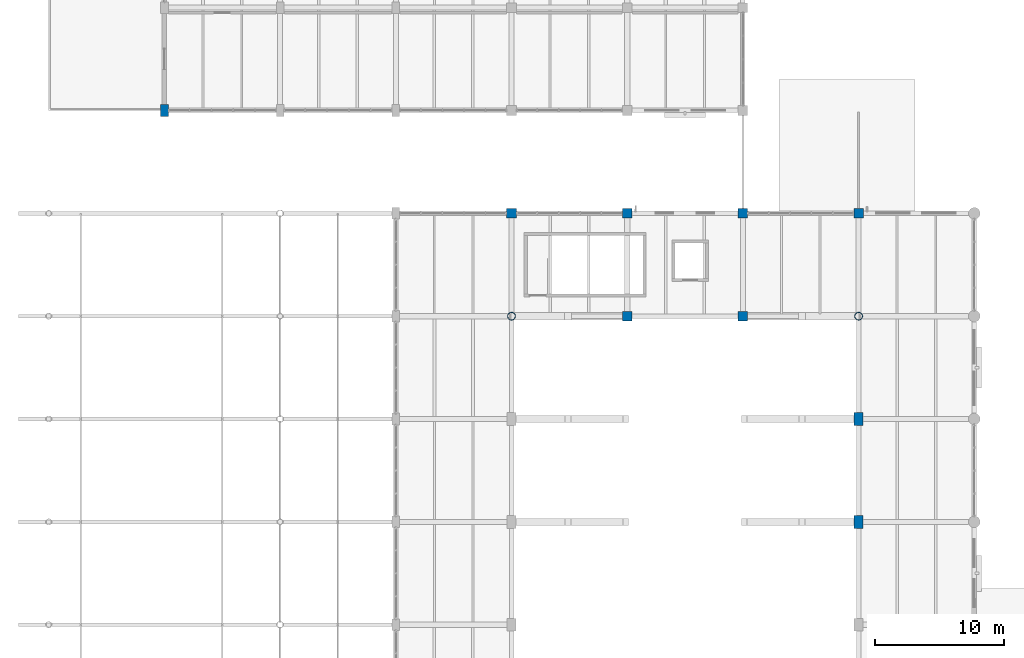
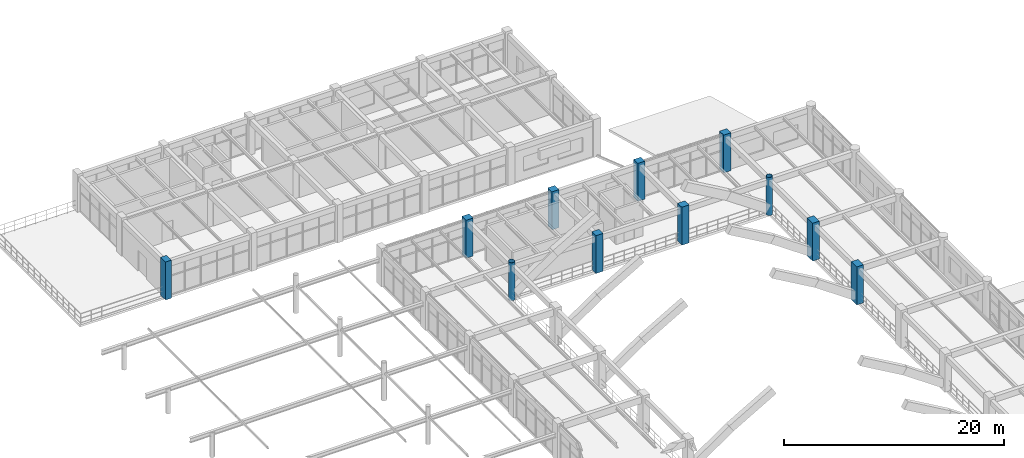
# One storey, part 7 of 148: 11 columns.
"""IFC4 building model written with IfcOpenShell, lengths in metres."""

from ifc_helpers import new_model, si_unit, derived_unit, direction, frame, origin, origin_2d, place, context, subcontext, project, spatial, rectangle, hollow_circle, extrude, material, material_profile, profile_set, type_object, element, save


model = new_model("IFC4")

# Units and contexts
model_context = context("Model", 3, precision=1e-05, world=origin(), true_north=direction((0.0, 1.0)))
body_context = subcontext(model_context, "Body", "Model", "MODEL_VIEW")
ifc_project = project(units=[si_unit("LENGTHUNIT", "METRE"), si_unit("AREAUNIT", "SQUARE_METRE"), si_unit("VOLUMEUNIT", "CUBIC_METRE"), si_unit("PLANEANGLEUNIT", "RADIAN"), si_unit("MASSUNIT", "GRAM", prefix="KILO"), derived_unit("THERMALTRANSMITTANCEUNIT", [(si_unit("MASSUNIT", "GRAM", prefix="KILO"), 1), (si_unit("TIMEUNIT", "SECOND"), -3), (si_unit("THERMODYNAMICTEMPERATUREUNIT", "KELVIN"), -1)])], contexts=[model_context])

# Site, building, storey
site_placement = place(None, origin())
site = spatial("IfcSite", under=ifc_project, at=site_placement, CompositionType="ELEMENT")
building_placement = place(site_placement, origin())
building = spatial("IfcBuilding", under=site, at=building_placement, Name="Zhenchuan Archway Interchange", CompositionType="ELEMENT")
storey_placement = place(building_placement, frame((0.0, 0.0, 10.199951171875)))
storey = spatial("IfcBuildingStorey", under=building, at=storey_placement, Name="L02", CompositionType="ELEMENT", Elevation=10.199951171875)

# Columns
ifc_material_1 = material(Name="Concrete C40", Category="concrete")
ifc_material_profile_1 = material_profile(ifc_material_1, rectangle(XDim=0.60009765625, YDim=0.89990234375, at=origin_2d()), Name="RC 600x900")
ifc_profile_set_1 = profile_set([ifc_material_profile_1], Name="Concrete C40")
column_type_1 = type_object("IfcColumnType", Name="COL_RC_600x900", PredefinedType="COLUMN", material=ifc_profile_set_1)
column_placement = place(storey_placement, frame((9.0, 96.0, 0.0), z_axis=(0.0, 0.0, 1.0), x_axis=(1.0, 0.0, 0.0)))
element("IfcColumn", 1, at=column_placement, inside=storey, type_object=column_type_1, Name="Column 2/N (L02)", PredefinedType="COLUMN", context=body_context, shape_type="SweptSolid", body=[
    extrude(rectangle(XDim=0.60009765625, YDim=0.89990234375, at=origin_2d()), origin(), (0.0, 0.0, 1.0), 4.199951171875),
])
ifc_material_2 = material(Name="Concrete C50", Category="concrete")
ifc_material_profile_2 = material_profile(ifc_material_2, rectangle(XDim=0.699951171875, YDim=1.0, at=origin_2d()), Name="RC 700x1000")
ifc_profile_set_2 = profile_set([ifc_material_profile_2], Name="Concrete C50")
column_type_2 = type_object("IfcColumnType", Name="COL_RC_700x1000_T", PredefinedType="COLUMN", material=ifc_profile_set_2)
for number, where, z_axis, x_axis, name in (
    (2, (63.0, 64.0, 0.0), (0.0, 0.0, 1.0), (1.0, 0.0, 0.0), "Column 8/J (L02)"),
    (3, (63.0, 72.0, 0.0), (0.0, 0.0, 1.0), (1.0, 0.0, 0.0), "Column 8/K (L02)"),
):
    element("IfcColumn", number, at=place(storey_placement, frame(where, z_axis=z_axis, x_axis=x_axis)), inside=storey, type_object=column_type_2, Name=name, PredefinedType="COLUMN", context=body_context, shape_type="SweptSolid", body=[
        extrude(rectangle(XDim=0.699951171875, YDim=1.0, at=origin_2d()), origin(), (0.0, 0.0, 1.0), 4.199951171875),
    ])
ifc_material_profile_3 = material_profile(ifc_material_1, rectangle(XDim=0.75, YDim=0.75, at=origin_2d()), Name="RC 750x750")
ifc_profile_set_3 = profile_set([ifc_material_profile_3], Name="Concrete C40")
column_type_3 = type_object("IfcColumnType", Name="COL_RC_750", PredefinedType="COLUMN", material=ifc_profile_set_3)
for number, where, z_axis, x_axis, name in (
    (4, (36.0, 88.0, 0.0), (0.0, 0.0, 1.0), (1.0, 0.0, 0.0), "Column 5/M (L02)"),
    (5, (45.0, 80.0, 0.0), (0.0, 0.0, 1.0), (1.0, 0.0, 0.0), "Column 6/L (L02)"),
    (6, (45.0, 88.0, 0.0), (0.0, 0.0, 1.0), (1.0, 0.0, 0.0), "Column 6/M (L02)"),
    (7, (54.0, 80.0, 0.0), (0.0, 0.0, 1.0), (1.0, 0.0, 0.0), "Column 7/L (L02)"),
    (8, (54.0, 88.0, 0.0), (0.0, 0.0, 1.0), (1.0, 0.0, 0.0), "Column 7/M (L02)"),
    (9, (63.0, 88.0, 0.0), (0.0, 0.0, 1.0), (1.0, 0.0, 0.0), "Column 8/M (L02)"),
):
    element("IfcColumn", number, at=place(storey_placement, frame(where, z_axis=z_axis, x_axis=x_axis)), inside=storey, type_object=column_type_3, Name=name, PredefinedType="COLUMN", context=body_context, shape_type="SweptSolid", body=[
        extrude(rectangle(XDim=0.75, YDim=0.75, at=origin_2d()), origin(), (0.0, 0.0, 1.0), 4.199951171875),
    ])
ifc_material_3 = material(Name="Steel Q390", Category="steel")
ifc_material_profile_4 = material_profile(ifc_material_3, hollow_circle(Radius=0.304931640625, WallThickness=0.02001953125, at=origin_2d()), Name="CHS 610x20")
ifc_profile_set_4 = profile_set([ifc_material_profile_4], Name="Steel Q390")
column_type_4 = type_object("IfcColumnType", Name="COL_STL_CHS610", PredefinedType="COLUMN", material=ifc_profile_set_4)
for number, where, z_axis, x_axis, name in (
    (10, (36.0, 80.0, 0.0), (0.0, 0.0, 1.0), (1.0, 0.0, 0.0), "Column 5/L (L02)"),
    (11, (63.0, 80.0, 0.0), (0.0, 0.0, 1.0), (1.0, 0.0, 0.0), "Column 8/L (L02)"),
):
    element("IfcColumn", number, at=place(storey_placement, frame(where, z_axis=z_axis, x_axis=x_axis)), inside=storey, type_object=column_type_4, Name=name, PredefinedType="COLUMN", context=body_context, shape_type="SweptSolid", body=[
        extrude(hollow_circle(Radius=0.304931640625, WallThickness=0.02001953125, at=origin_2d()), origin(), (0.0, 0.0, 1.0), 4.199951171875),
    ])

save(model, "model.ifc")
